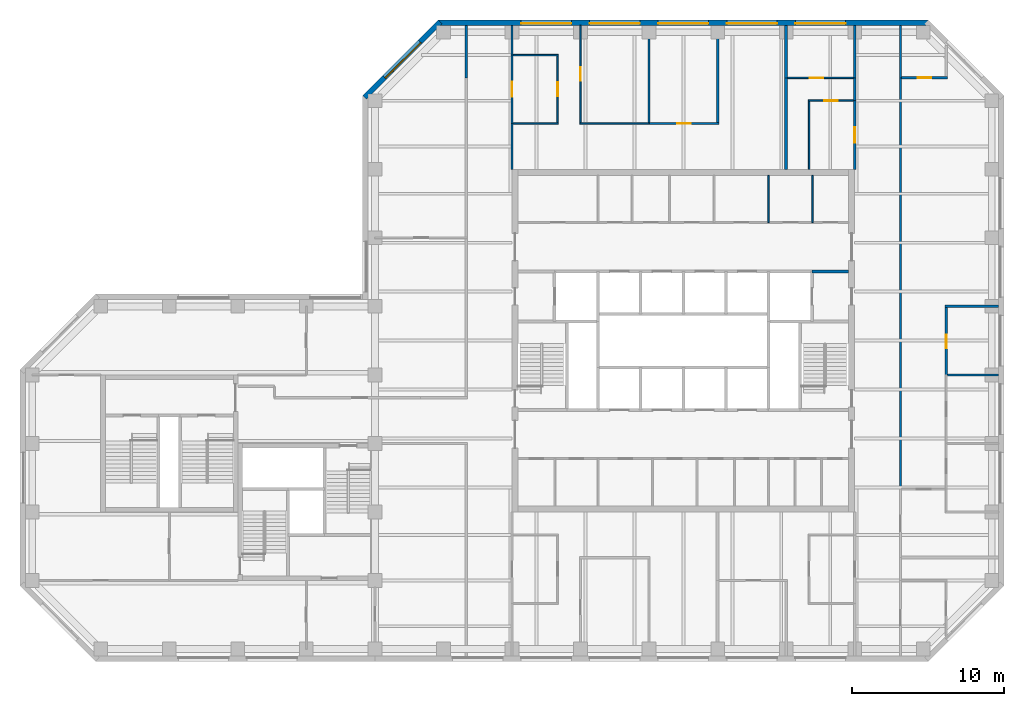
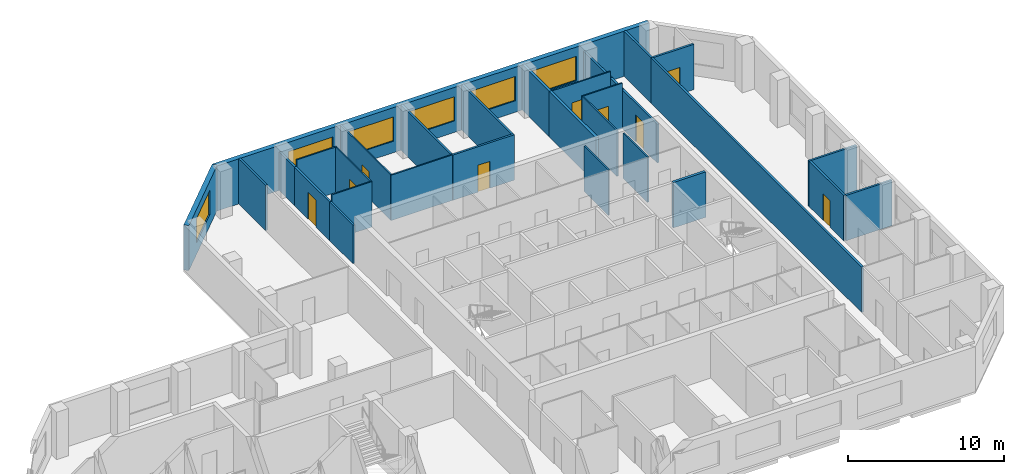
# One storey, part 7 of 9: 31 walls, 9 doors, 6 windows, 15 openings.
"""IFC4 building model written with IfcOpenShell, lengths in metres."""

import ifcopenshell
import ifcopenshell.guid

model = None  # the IFC model being written
_history = None  # IfcOwnerHistory: only IFC2X3 demands one
_inside = {}  # id of a spatial element -> (the spatial element, [elements in it])
_under = {}  # id of a project, library or spatial element -> (it, [spatial elements below it])
_declared = {}  # id of a project -> (the project, [libraries it declares])
_typed = {}  # id of a type object -> (the type object, [elements of that type])
_made_of = {}  # id of a material, layer set ... -> (it, [elements and type objects made of it])


def new_model(schema):
    """Start an empty IFC model of exactly this schema.

    Asked for "IFC4X3", IfcOpenShell would pick the latest addendum, in which some entities
    have other attributes; the version numbers below select the first issue.
    IFC2X3 requires an IfcOwnerHistory on every rooted entity: one is made here for all.
    """
    global model, _history
    if schema == "IFC4X3":
        model = ifcopenshell.file(schema_version=(4, 3, 0, 0))
    else:
        model = ifcopenshell.file(schema=schema)
    _inside.clear()
    _under.clear()
    _declared.clear()
    _typed.clear()
    _made_of.clear()
    _history = None
    if model.schema == "IFC2X3":
        org = make("IfcOrganization", Name="unknown")
        user = make(
            "IfcPersonAndOrganization",
            ThePerson=make("IfcPerson", FamilyName="unknown"),
            TheOrganization=org,
        )
        app = make(
            "IfcApplication",
            ApplicationDeveloper=org,
            Version="unknown",
            ApplicationFullName="unknown",
            ApplicationIdentifier="unknown",
        )
        _history = make(
            "IfcOwnerHistory",
            OwningUser=user,
            OwningApplication=app,
            ChangeAction="ADDED",
            CreationDate=0,
        )
    return model


def make(cls, **values):
    """One entity of the class cls with the attributes given. An attribute that is None is left unset."""
    return model.create_entity(
        cls, **{name: value for name, value in values.items() if value is not None}
    )


def rooted(cls, **values):
    """An entity with a GlobalId (a new one), such as an element, a storey or a relation."""
    return make(cls, GlobalId=ifcopenshell.guid.new(), OwnerHistory=_history, **values)


def si_unit(unit_type, name, prefix=None):
    """IfcSIUnit, for example si_unit("LENGTHUNIT", "METRE", prefix="MILLI")."""
    return make("IfcSIUnit", UnitType=unit_type, Prefix=prefix, Name=name)


def assignment(units):
    """IfcUnitAssignment: the units of a project."""
    return None if units is None else make("IfcUnitAssignment", Units=units)


def point(xyz):
    """IfcCartesianPoint."""
    return None if xyz is None else make("IfcCartesianPoint", Coordinates=xyz)


def direction(xyz):
    """IfcDirection."""
    return None if xyz is None else make("IfcDirection", DirectionRatios=xyz)


def frame(location, z_axis=None, x_axis=None):
    """IfcAxis2Placement3D, a coordinate frame: its origin and axes. An axis left out is left unset."""
    return make(
        "IfcAxis2Placement3D",
        Location=point(location),
        Axis=direction(z_axis),
        RefDirection=direction(x_axis),
    )


def frame_2d(location, x_axis=None):
    """IfcAxis2Placement2D, a coordinate frame in the plane: its origin and x axis."""
    return make(
        "IfcAxis2Placement2D", Location=point(location), RefDirection=direction(x_axis)
    )


def origin():
    """The frame at (0, 0, 0) with its axes left unset."""
    return frame((0.0, 0.0, 0.0))


def place(relative_to, where):
    """IfcLocalPlacement: puts the frame where relative to a parent placement (None: the world)."""
    return make(
        "IfcLocalPlacement", PlacementRelTo=relative_to, RelativePlacement=where
    )


def context(
    kind, dimensions, precision=None, world=None, true_north=None, identifier=None
):
    """IfcGeometricRepresentationContext, for example the 3D "Model" context."""
    return make(
        "IfcGeometricRepresentationContext",
        ContextIdentifier=identifier,
        ContextType=kind,
        CoordinateSpaceDimension=dimensions,
        Precision=precision,
        WorldCoordinateSystem=world,
        TrueNorth=true_north,
    )


def subcontext(parent, identifier, kind, view, scale=None):
    """IfcGeometricRepresentationSubContext, for example "Body" below "Model"."""
    return make(
        "IfcGeometricRepresentationSubContext",
        ContextIdentifier=identifier,
        ContextType=kind,
        ParentContext=parent,
        TargetScale=scale,
        TargetView=view,
    )


def project(units=None, contexts=None):
    """IfcProject with its units and contexts."""
    return rooted(
        "IfcProject",
        Name="project",
        RepresentationContexts=contexts,
        UnitsInContext=assignment(units),
    )


def spatial(cls, under=None, at=None, **own):
    """A site, building, storey or space (cls), placed at a placement, below another one or the project."""
    s = rooted(cls, ObjectPlacement=at, **own)
    if under is not None:
        _under.setdefault(under.id(), (under, []))[1].append(s)
    return s


def profile(cls, at=None, kind="AREA", **sizes):
    """A parametric profile (cls). Its sizes go by their IFC names, for example OverallWidth=200.0."""
    return make(cls, ProfileType=kind, Position=at, **sizes)


def rectangle(**sizes):
    """IfcRectangleProfileDef."""
    return profile("IfcRectangleProfileDef", **sizes)


def extrude(swept, where, along, depth):
    """IfcExtrudedAreaSolid: the profile swept, set in the frame where, extruded along a direction by depth."""
    return make(
        "IfcExtrudedAreaSolid",
        SweptArea=swept,
        Position=where,
        ExtrudedDirection=direction(along),
        Depth=depth,
    )


def shape(context_of_items, identifier, shape_type, items):
    """IfcShapeRepresentation: the items that make up one representation, for example the "Body"."""
    return make(
        "IfcShapeRepresentation",
        ContextOfItems=context_of_items,
        RepresentationIdentifier=identifier,
        RepresentationType=shape_type,
        Items=items,
    )


def material(Name=None, Category=None):
    """IfcMaterial."""
    return make("IfcMaterial", Name=Name, Category=Category)


def layer(
    of_material, thickness, ventilated=None, Name=None, Category=None, Priority=None
):
    """IfcMaterialLayer: one layer of a wall or slab, of a material (None: an air gap)."""
    return make(
        "IfcMaterialLayer",
        Material=of_material,
        LayerThickness=thickness,
        IsVentilated=ventilated,
        Name=Name,
        Category=Category,
        Priority=Priority,
    )


def layer_set(layers, Name=None):
    """IfcMaterialLayerSet."""
    return make("IfcMaterialLayerSet", MaterialLayers=layers, LayerSetName=Name)


def constituent(of_material, Name=None, Category=None, fraction=None):
    """IfcMaterialConstituent: one of the materials an element consists of."""
    return make(
        "IfcMaterialConstituent",
        Name=Name,
        Material=of_material,
        Fraction=fraction,
        Category=Category,
    )


def constituent_set(constituents=None, Name=None):
    """IfcMaterialConstituentSet."""
    return make(
        "IfcMaterialConstituentSet", Name=Name, MaterialConstituents=constituents
    )


def made_of(thing, what):
    """Note that an element or type object is made of a material, layer set ...; save() writes the relation."""
    if what is not None:
        _made_of.setdefault(what.id(), (what, []))[1].append(thing)
    return thing


def type_object(cls, material=None, **own):
    """A type object (cls), such as IfcWallType, which elements share."""
    return made_of(rooted(cls, **own), material)


def element(
    cls,
    number,
    at=None,
    inside=None,
    cuts=None,
    type_object=None,
    material=None,
    context=None,
    identifier="Body",
    shape_type=None,
    held_by="IfcProductDefinitionShape",
    body=None,
    shapes=None,
    **own,
):
    """One element of the class cls, such as IfcWall. Its Tag is "e" and its number.

    at: its placement. inside: the storey or other place that contains it. cuts: it is an
    opening in that element (IfcRelVoidsElement). A single representation is given by context,
    identifier, shape_type and body (its items); several are given by shapes. held_by: the class
    of the entity that holds the representations. save() writes the other relations.
    """
    e = rooted(cls, Tag="e%d" % number, ObjectPlacement=at, **own)
    if body is not None:
        shapes = [shape(context, identifier, shape_type, body)]
    if shapes is not None:
        e.Representation = make(held_by, Representations=shapes)
    if inside is not None:
        _inside.setdefault(inside.id(), (inside, []))[1].append(e)
    if cuts is not None:
        rooted(
            "IfcRelVoidsElement", RelatingBuildingElement=cuts, RelatedOpeningElement=e
        )
    if type_object is not None:
        _typed.setdefault(type_object.id(), (type_object, []))[1].append(e)
    return made_of(e, material)


def fill(opening, filler):
    """IfcRelFillsElement: the door or window that sits in an opening."""
    return rooted(
        "IfcRelFillsElement",
        RelatingOpeningElement=opening,
        RelatedBuildingElement=filler,
    )


def aggregate(whole, parts):
    """IfcRelAggregates: a whole, such as a stair, and the parts it consists of."""
    return rooted("IfcRelAggregates", RelatingObject=whole, RelatedObjects=parts)


def save(model, path):
    """Write the relations noted so far, then the file.

    IfcRelAggregates (storeys below a building ...), IfcRelContainedInSpatialStructure (elements
    in a storey), IfcRelDefinesByType, IfcRelAssociatesMaterial and IfcRelDeclares: one each for
    every whole, place, type object, material and project.
    """
    for whole, parts in _under.values():
        aggregate(whole, parts)
    for where, things in _inside.values():
        rooted(
            "IfcRelContainedInSpatialStructure",
            RelatedElements=things,
            RelatingStructure=where,
        )
    for kind, things in _typed.values():
        rooted("IfcRelDefinesByType", RelatedObjects=things, RelatingType=kind)
    for what, things in _made_of.values():
        rooted("IfcRelAssociatesMaterial", RelatedObjects=things, RelatingMaterial=what)
    for by, libraries in _declared.values():
        rooted("IfcRelDeclares", RelatingContext=by, RelatedDefinitions=libraries)
    model.write(path)


model = new_model("IFC4")

# Units and contexts
model_context = context("Model", 3, precision=1e-05, world=origin(), true_north=direction((0.0, 1.0)))
body_context = subcontext(model_context, "Body", "Model", "MODEL_VIEW")
ifc_project = project(units=[si_unit("LENGTHUNIT", "METRE"), si_unit("AREAUNIT", "SQUARE_METRE"), si_unit("VOLUMEUNIT", "CUBIC_METRE"), si_unit("PLANEANGLEUNIT", "RADIAN"), si_unit("MASSUNIT", "GRAM", prefix="KILO")], contexts=[model_context])

# Site, building, storey
site_placement = place(None, origin())
site = spatial("IfcSite", under=ifc_project, at=site_placement, CompositionType="ELEMENT")
building_placement = place(site_placement, origin())
building = spatial("IfcBuilding", under=site, at=building_placement, Name="Quoin Convention Tower", CompositionType="ELEMENT")
storey_placement = place(building_placement, frame((0.0, 0.0, 162.5)))
storey = spatial("IfcBuildingStorey", under=building, at=storey_placement, Name="L42", CompositionType="ELEMENT", Elevation=162.5)

# Walls
ifc_material_1 = material(Name="Plasterboard")
ifc_layer_1 = layer(ifc_material_1, 0.012451171875, Name="Finish")
ifc_material_2 = material(Name="Steel stud framing", Category="steel")
ifc_layer_2 = layer(ifc_material_2, 0.125, Name="Structure")
ifc_layer_3 = layer(ifc_material_1, 0.012451171875, Name="Finish")
ifc_layer_set_1 = layer_set([ifc_layer_1, ifc_layer_2, ifc_layer_3], Name="Steel stud framing")
wall_type_1 = type_object("IfcWallType", Name="Acoustic partition 150", PredefinedType="PARTITIONING", material=ifc_layer_set_1)
wall_1_placement = place(storey_placement, frame((73.574951171875, 58.5, 0.0), z_axis=(0.0, 0.0, 1.0), x_axis=(1.0, 0.0, 0.0)))
element("IfcWall", 1, at=wall_1_placement, inside=storey, type_object=wall_type_1, Name="pw-L42-022", PredefinedType="PARTITIONING", context=body_context, shape_type="SweptSolid", body=[
    extrude(rectangle(XDim=3.375, YDim=0.14990234375, at=frame_2d((1.6875, 0.0))), origin(), (0.0, 0.0, 1.0), 3.550048828125),
])
wall_2_placement = place(storey_placement, frame((73.425048828125, 63.0, 0.0), z_axis=(0.0, 0.0, 1.0), x_axis=(1.0, 0.0, 0.0)))
element("IfcWall", 2, at=wall_2_placement, inside=storey, type_object=wall_type_1, Name="pw-L42-025", PredefinedType="PARTITIONING", context=body_context, shape_type="SweptSolid", body=[
    extrude(rectangle(XDim=3.52490234375, YDim=0.14990234375, at=frame_2d((1.762451171875, 0.0))), origin(), (0.0, 0.0, 1.0), 3.550048828125),
])

# Wall, opening, door
wall_3_placement = place(storey_placement, frame((54.0, 75.0, 0.0), z_axis=(0.0, 0.0, 1.0), x_axis=(1.0, 0.0, 0.0)))
wall_3 = element("IfcWall", 3, at=wall_3_placement, inside=storey, type_object=wall_type_1, Name="pw-L42-030", PredefinedType="PARTITIONING", context=body_context, shape_type="SweptSolid", body=[
    extrude(rectangle(XDim=4.574951171875, YDim=0.14990234375, at=frame_2d((2.28759765625, 0.0))), origin(), (0.0, 0.0, 1.0), 3.550048828125),
])
opening_1_placement = place(wall_3_placement, frame((1.85009765625, 0.0, 0.0)))
opening_1 = element("IfcOpeningElement", 4, at=opening_1_placement, cuts=wall_3, Name="Opening DOH3-04", PredefinedType="OPENING", context=body_context, shape_type="SweptSolid", body=[
    extrude(rectangle(XDim=0.89990234375, YDim=2.10009765625, at=frame_2d((0.449951171875, 1.050048828125))), frame((0.0, 0.0849609375, 0.0), z_axis=(0.0, -1.0, 0.0), x_axis=(1.0, 0.0, 0.0)), (0.0, 0.0, 1.0), 0.169921875),
])
ifc_material_3 = material(Name="Steel door leaf", Category="steel")
door_type_1 = type_object("IfcDoorType", Name="Office door 900 x 2100", OperationType="SINGLE_SWING_RIGHT", PredefinedType="DOOR", material=ifc_material_3)
door_1_placement = place(opening_1_placement, frame((0.89990234375, 0.0, 0.0), z_axis=(0.0, 0.0, 1.0), x_axis=(-1.0, 0.0, 0.0)))
door_1 = element("IfcDoor", 5, at=door_1_placement, inside=storey, type_object=door_type_1, Name="dr-L42-17", OperationType="SINGLE_SWING_LEFT", OverallHeight=2.10009765625, OverallWidth=0.89990234375, PredefinedType="DOOR", context=body_context, shape_type="SweptSolid", body=[
    extrude(rectangle(XDim=0.89990234375, YDim=2.10009765625, at=frame_2d((0.449951171875, 1.050048828125))), frame((0.0, 0.02490234375, 0.0), z_axis=(0.0, -1.0, 0.0), x_axis=(1.0, 0.0, 0.0)), (0.0, 0.0, 1.0), 0.050048828125),
])
fill(opening_1, door_1)

wall_4_placement = place(storey_placement, frame((73.5, 58.5, 0.0), z_axis=(0.0, 0.0, 1.0), x_axis=(0.0, 1.0, 0.0)))
wall_4 = element("IfcWall", 6, at=wall_4_placement, inside=storey, type_object=wall_type_1, Name="pw-L42-070", PredefinedType="PARTITIONING", context=body_context, shape_type="SweptSolid", body=[
    extrude(rectangle(XDim=4.425048828125, YDim=0.14990234375, at=frame_2d((2.21240234375, 0.0))), origin(), (0.0, 0.0, 1.0), 3.550048828125),
])
opening_2_placement = place(wall_4_placement, frame((1.75, 0.0, 0.0)))
opening_2 = element("IfcOpeningElement", 7, at=opening_2_placement, cuts=wall_4, Name="Opening DOH3-19", PredefinedType="OPENING", context=body_context, shape_type="SweptSolid", body=[
    extrude(rectangle(XDim=0.89990234375, YDim=2.10009765625, at=frame_2d((0.449951171875, 1.050048828125))), frame((0.0, 0.0849609375, 0.0), z_axis=(0.0, -1.0, 0.0), x_axis=(1.0, 0.0, 0.0)), (0.0, 0.0, 1.0), 0.169921875),
])
door_2_placement = place(opening_2_placement, origin())
door_2 = element("IfcDoor", 8, at=door_2_placement, inside=storey, type_object=door_type_1, Name="dr-L42-28", OperationType="SINGLE_SWING_RIGHT", OverallHeight=2.10009765625, OverallWidth=0.89990234375, PredefinedType="DOOR", context=body_context, shape_type="SweptSolid", body=[
    extrude(rectangle(XDim=0.89990234375, YDim=2.10009765625, at=frame_2d((0.449951171875, 1.050048828125))), frame((0.0, 0.02490234375, 0.0), z_axis=(0.0, -1.0, 0.0), x_axis=(1.0, 0.0, 0.0)), (0.0, 0.0, 1.0), 0.050048828125),
])
fill(opening_2, door_2)

# Walls
for number, where, z_axis, x_axis, name in (
    (9, (54.0, 75.074951171875, 0.0), (0.0, 0.0, 1.0), (0.0, 1.0, 0.0), "pw-L42-083"),
    (10, (58.5, 75.074951171875, 0.0), (0.0, 0.0, 1.0), (0.0, 1.0, 0.0), "pw-L42-084"),
):
    element("IfcWall", number, at=place(storey_placement, frame(where, z_axis=z_axis, x_axis=x_axis)), inside=storey, type_object=wall_type_1, Name=name, PredefinedType="PARTITIONING", context=body_context, shape_type="SweptSolid", body=[
        extrude(rectangle(XDim=6.375, YDim=0.14990234375, at=frame_2d((3.1875, 0.0))), origin(), (0.0, 0.0, 1.0), 3.550048828125),
    ])

# Wall, openings, windows
ifc_material_4 = material(Name="Brick masonry", Category="masonry")
ifc_layer_4 = layer(ifc_material_4, 0.35009765625)
ifc_layer_set_2 = layer_set([ifc_layer_4], Name="Brick masonry")
wall_type_2 = type_object("IfcWallType", Name="Brick facade wall", PredefinedType="STANDARD", material=ifc_layer_set_2)
wall_5_placement = place(storey_placement, frame((72.331298828125, 81.625, 0.0), z_axis=(0.0, 0.0, 1.0), x_axis=(-1.0, 0.0, 0.0)))
wall_5 = element("IfcWall", 11, at=wall_5_placement, inside=storey, type_object=wall_type_2, Name="fw-L42-72000_81000", PredefinedType="STANDARD", context=body_context, shape_type="SweptSolid", body=[
    extrude(rectangle(XDim=32.16259765625, YDim=0.35009765625, at=frame_2d((16.081298828125, 0.0))), origin(), (0.0, 0.0, 1.0), 3.52490234375),
])
opening_3_placement = place(wall_5_placement, frame((5.431396484375, 0.0, 0.89990234375)))
opening_3 = element("IfcOpeningElement", 12, at=opening_3_placement, cuts=wall_5, Name="Opening W-02", PredefinedType="OPENING", context=body_context, shape_type="SweptSolid", body=[
    extrude(rectangle(XDim=3.300048828125, YDim=1.89990234375, at=frame_2d((1.64990234375, 0.949951171875))), frame((0.0, 0.18505859375, 0.0), z_axis=(0.0, -1.0, 0.0), x_axis=(1.0, 0.0, 0.0)), (0.0, 0.0, 1.0), 0.3701171875),
])
opening_4_placement = place(wall_5_placement, frame((9.931396484375, 0.0, 0.89990234375)))
opening_4 = element("IfcOpeningElement", 13, at=opening_4_placement, cuts=wall_5, Name="Opening W-02", PredefinedType="OPENING", context=body_context, shape_type="SweptSolid", body=[
    extrude(rectangle(XDim=3.300048828125, YDim=1.89990234375, at=frame_2d((1.64990234375, 0.949951171875))), frame((0.0, 0.18505859375, 0.0), z_axis=(0.0, -1.0, 0.0), x_axis=(1.0, 0.0, 0.0)), (0.0, 0.0, 1.0), 0.3701171875),
])
opening_5_placement = place(wall_5_placement, frame((14.431396484375, 0.0, 0.89990234375)))
opening_5 = element("IfcOpeningElement", 14, at=opening_5_placement, cuts=wall_5, Name="Opening W-02", PredefinedType="OPENING", context=body_context, shape_type="SweptSolid", body=[
    extrude(rectangle(XDim=3.300048828125, YDim=1.89990234375, at=frame_2d((1.64990234375, 0.949951171875))), frame((0.0, 0.18505859375, 0.0), z_axis=(0.0, -1.0, 0.0), x_axis=(1.0, 0.0, 0.0)), (0.0, 0.0, 1.0), 0.3701171875),
])
opening_6_placement = place(wall_5_placement, frame((18.931396484375, 0.0, 0.89990234375)))
opening_6 = element("IfcOpeningElement", 15, at=opening_6_placement, cuts=wall_5, Name="Opening W-02", PredefinedType="OPENING", context=body_context, shape_type="SweptSolid", body=[
    extrude(rectangle(XDim=3.300048828125, YDim=1.89990234375, at=frame_2d((1.64990234375, 0.949951171875))), frame((0.0, 0.18505859375, 0.0), z_axis=(0.0, -1.0, 0.0), x_axis=(1.0, 0.0, 0.0)), (0.0, 0.0, 1.0), 0.3701171875),
])
opening_7_placement = place(wall_5_placement, frame((23.431396484375, 0.0, 0.89990234375)))
opening_7 = element("IfcOpeningElement", 16, at=opening_7_placement, cuts=wall_5, Name="Opening W-02", PredefinedType="OPENING", context=body_context, shape_type="SweptSolid", body=[
    extrude(rectangle(XDim=3.300048828125, YDim=1.89990234375, at=frame_2d((1.64990234375, 0.949951171875))), frame((0.0, 0.18505859375, 0.0), z_axis=(0.0, -1.0, 0.0), x_axis=(1.0, 0.0, 0.0)), (0.0, 0.0, 1.0), 0.3701171875),
])
ifc_material_5 = material(Name="Aluminium", Category="aluminium")
ifc_constituent_1 = constituent(ifc_material_5, Name="Frame")
ifc_material_6 = material(Name="Insulated glass", Category="glass")
ifc_constituent_2 = constituent(ifc_material_6, Name="Glazing")
ifc_constituent_set = constituent_set(constituents=[ifc_constituent_1, ifc_constituent_2], Name="Aluminium")
window_type = type_object("IfcWindowType", Name="Office window", PartitioningType="DOUBLE_PANEL_VERTICAL", PredefinedType="WINDOW", material=ifc_constituent_set)
window_1_placement = place(opening_3_placement, origin())
window_1 = element("IfcWindow", 17, at=window_1_placement, inside=storey, type_object=window_type, Name="win-L42-65250_81625", OverallHeight=1.89990234375, OverallWidth=3.300048828125, PartitioningType="SINGLE_PANEL", PredefinedType="WINDOW", context=body_context, shape_type="SweptSolid", body=[
    extrude(rectangle(XDim=3.300048828125, YDim=1.89990234375, at=frame_2d((1.64990234375, 0.949951171875))), frame((0.0, 0.0849609375, 0.0), z_axis=(0.0, -1.0, 0.0), x_axis=(1.0, 0.0, 0.0)), (0.0, 0.0, 1.0), 0.06005859375),
])
fill(opening_3, window_1)
window_2_placement = place(opening_4_placement, origin())
window_2 = element("IfcWindow", 18, at=window_2_placement, inside=storey, type_object=window_type, Name="win-L42-60750_81625", OverallHeight=1.89990234375, OverallWidth=3.300048828125, PartitioningType="SINGLE_PANEL", PredefinedType="WINDOW", context=body_context, shape_type="SweptSolid", body=[
    extrude(rectangle(XDim=3.300048828125, YDim=1.89990234375, at=frame_2d((1.64990234375, 0.949951171875))), frame((0.0, 0.0849609375, 0.0), z_axis=(0.0, -1.0, 0.0), x_axis=(1.0, 0.0, 0.0)), (0.0, 0.0, 1.0), 0.06005859375),
])
fill(opening_4, window_2)
window_3_placement = place(opening_5_placement, origin())
window_3 = element("IfcWindow", 19, at=window_3_placement, inside=storey, type_object=window_type, Name="win-L42-56250_81625", OverallHeight=1.89990234375, OverallWidth=3.300048828125, PartitioningType="SINGLE_PANEL", PredefinedType="WINDOW", context=body_context, shape_type="SweptSolid", body=[
    extrude(rectangle(XDim=3.300048828125, YDim=1.89990234375, at=frame_2d((1.64990234375, 0.949951171875))), frame((0.0, 0.0849609375, 0.0), z_axis=(0.0, -1.0, 0.0), x_axis=(1.0, 0.0, 0.0)), (0.0, 0.0, 1.0), 0.06005859375),
])
fill(opening_5, window_3)
window_4_placement = place(opening_6_placement, origin())
window_4 = element("IfcWindow", 20, at=window_4_placement, inside=storey, type_object=window_type, Name="win-L42-51750_81625", OverallHeight=1.89990234375, OverallWidth=3.300048828125, PartitioningType="SINGLE_PANEL", PredefinedType="WINDOW", context=body_context, shape_type="SweptSolid", body=[
    extrude(rectangle(XDim=3.300048828125, YDim=1.89990234375, at=frame_2d((1.64990234375, 0.949951171875))), frame((0.0, 0.0849609375, 0.0), z_axis=(0.0, -1.0, 0.0), x_axis=(1.0, 0.0, 0.0)), (0.0, 0.0, 1.0), 0.06005859375),
])
fill(opening_6, window_4)
window_5_placement = place(opening_7_placement, origin())
window_5 = element("IfcWindow", 21, at=window_5_placement, inside=storey, type_object=window_type, Name="win-L42-47250_81625", OverallHeight=1.89990234375, OverallWidth=3.300048828125, PartitioningType="SINGLE_PANEL", PredefinedType="WINDOW", context=body_context, shape_type="SweptSolid", body=[
    extrude(rectangle(XDim=3.300048828125, YDim=1.89990234375, at=frame_2d((1.64990234375, 0.949951171875))), frame((0.0, 0.0849609375, 0.0), z_axis=(0.0, -1.0, 0.0), x_axis=(1.0, 0.0, 0.0)), (0.0, 0.0, 1.0), 0.06005859375),
])
fill(opening_7, window_5)

# Wall, opening, window
wall_6_placement = place(storey_placement, frame((40.29248046875, 81.67626953125, 0.0), z_axis=(0.0, 0.0, 1.0), x_axis=(-0.707106781187, -0.707106781187, 0.0)))
wall_6 = element("IfcWall", 22, at=wall_6_placement, inside=storey, type_object=wall_type_2, Name="fw-L42-40500_81000", PredefinedType="STANDARD", context=body_context, shape_type="SweptSolid", body=[
    extrude(rectangle(XDim=7.02685546875, YDim=0.35009765625, at=frame_2d((3.513427734375, 0.0))), origin(), (0.0, 0.0, 1.0), 3.52490234375),
])
opening_8_placement = place(wall_6_placement, frame((1.86328125, 0.0, 0.89990234375)))
opening_8 = element("IfcOpeningElement", 23, at=opening_8_placement, cuts=wall_6, Name="Opening W-02", PredefinedType="OPENING", context=body_context, shape_type="SweptSolid", body=[
    extrude(rectangle(XDim=3.300048828125, YDim=1.89990234375, at=frame_2d((1.64990234375, 0.949951171875))), frame((0.0, 0.18505859375, 0.0), z_axis=(0.0, -1.0, 0.0), x_axis=(1.0, 0.0, 0.0)), (0.0, 0.0, 1.0), 0.3701171875),
])
window_6_placement = place(opening_8_placement, origin())
window_6 = element("IfcWindow", 24, at=window_6_placement, inside=storey, type_object=window_type, Name="win-L42-37808_79192", OverallHeight=1.89990234375, OverallWidth=3.300048828125, PartitioningType="SINGLE_PANEL", PredefinedType="WINDOW", context=body_context, shape_type="SweptSolid", body=[
    extrude(rectangle(XDim=3.300048828125, YDim=1.89990234375, at=frame_2d((1.64990234375, 0.949951171875))), frame((0.0, 0.0849609375, 0.0), z_axis=(0.0, -1.0, 0.0), x_axis=(1.0, 0.0, 0.0)), (0.0, 0.0, 1.0), 0.06005859375),
])
fill(opening_8, window_6)

# Walls
ifc_layer_5 = layer(ifc_material_1, 0.012451171875, Name="Finish")
ifc_layer_6 = layer(ifc_material_2, 0.074951171875, Name="Structure")
ifc_layer_7 = layer(ifc_material_1, 0.012451171875, Name="Finish")
ifc_layer_set_3 = layer_set([ifc_layer_5, ifc_layer_6, ifc_layer_7], Name="Steel stud framing")
wall_type_3 = type_object("IfcWallType", Name="Core partition wall", PredefinedType="PARTITIONING", material=ifc_layer_set_3)
for number, where, z_axis, x_axis, name in (
    (25, (61.85009765625, 68.5, 0.0), (0.0, 0.0, 1.0), (0.0, 1.0, 0.0), "cr-C1-L42-v16850_19000"),
    (26, (64.737548828125, 68.5, 0.0), (0.0, 0.0, 1.0), (0.0, 1.0, 0.0), "cr-C1-L42-v19738_19000"),
):
    element("IfcWall", number, at=place(storey_placement, frame(where, z_axis=z_axis, x_axis=x_axis)), inside=storey, type_object=wall_type_3, Name=name, PredefinedType="PARTITIONING", context=body_context, shape_type="SweptSolid", body=[
        extrude(rectangle(XDim=3.10009765625, YDim=0.10009765625, at=frame_2d((1.550048828125, 0.0))), origin(), (0.0, 0.0, 1.0), 3.550048828125),
    ])
ifc_material_7 = material(Name="Concrete C50", Category="concrete")
ifc_layer_8 = layer(ifc_material_7, 0.199951171875)
ifc_layer_set_4 = layer_set([ifc_layer_8], Name="Concrete C50")
wall_type_4 = type_object("IfcWallType", Name="Core shaft wall", PredefinedType="SOLIDWALL", material=ifc_layer_set_4)
wall_7_placement = place(storey_placement, frame((64.699951171875, 65.300048828125, 0.0), z_axis=(0.0, 0.0, 1.0), x_axis=(1.0, 0.0, 0.0)))
element("IfcWall", 27, at=wall_7_placement, inside=storey, type_object=wall_type_4, Name="cr-C1-L42-h15800_19700", PredefinedType="SOLIDWALL", context=body_context, shape_type="SweptSolid", body=[
    extrude(rectangle(XDim=2.400146484375, YDim=0.199951171875, at=frame_2d((1.2001953125, 0.0))), origin(), (0.0, 0.0, 1.0), 3.550048828125),
])
ifc_layer_9 = layer(ifc_material_1, 0.012451171875, Name="Finish")
ifc_layer_10 = layer(ifc_material_2, 0.125, Name="Structure")
ifc_layer_11 = layer(ifc_material_1, 0.012451171875, Name="Finish")
ifc_layer_set_5 = layer_set([ifc_layer_9, ifc_layer_10, ifc_layer_11], Name="Steel stud framing")
wall_type_5 = type_object("IfcWallType", Name="Corridor wall 150", PredefinedType="PARTITIONING", material=ifc_layer_set_5)
wall_8_placement = place(storey_placement, frame((70.5, 51.0, 0.0), z_axis=(0.0, 0.0, 1.0), x_axis=(0.0, 1.0, 0.0)))
element("IfcWall", 28, at=wall_8_placement, inside=storey, type_object=wall_type_5, Name="pw-L42-063", PredefinedType="PARTITIONING", context=body_context, shape_type="SweptSolid", body=[
    extrude(rectangle(XDim=27.0, YDim=0.14990234375, at=frame_2d((13.5, 0.0))), origin(), (0.0, 0.0, 1.0), 3.550048828125),
])
for number, where, z_axis, x_axis, name in (
    (29, (42.0, 78.0, 0.0), (0.0, 0.0, 1.0), (0.0, 1.0, 0.0), "pw-L42-086"),
    (30, (70.5, 78.0, 0.0), (0.0, 0.0, 1.0), (0.0, 1.0, 0.0), "pw-L42-089"),
):
    element("IfcWall", number, at=place(storey_placement, frame(where, z_axis=z_axis, x_axis=x_axis)), inside=storey, type_object=wall_type_5, Name=name, PredefinedType="PARTITIONING", context=body_context, shape_type="SweptSolid", body=[
        extrude(rectangle(XDim=3.449951171875, YDim=0.14990234375, at=frame_2d((1.72509765625, 0.0))), origin(), (0.0, 0.0, 1.0), 3.550048828125),
    ])
ifc_layer_12 = layer(ifc_material_1, 0.012451171875, Name="Finish")
ifc_layer_13 = layer(ifc_material_2, 0.125, Name="Structure")
ifc_layer_14 = layer(ifc_material_1, 0.012451171875, Name="Finish")
ifc_layer_set_6 = layer_set([ifc_layer_12, ifc_layer_13, ifc_layer_14], Name="Steel stud framing")
wall_type_6 = type_object("IfcWallType", Name="Corridor wall 150 under beam 528", PredefinedType="PARTITIONING", material=ifc_layer_set_6)
wall_9_placement = place(storey_placement, frame((45.0, 72.0, 0.0), z_axis=(0.0, 0.0, 1.0), x_axis=(0.0, 1.0, 0.0)))
element("IfcWall", 31, at=wall_9_placement, inside=storey, type_object=wall_type_6, Name="pw-L42-076", PredefinedType="PARTITIONING", context=body_context, shape_type="SweptSolid", body=[
    extrude(rectangle(XDim=3.0, YDim=0.14990234375, at=frame_2d((1.5, 0.0))), origin(), (0.0, 0.0, 1.0), 3.02197265625),
])

# Wall, opening, door
wall_10_placement = place(storey_placement, frame((67.5, 72.0, 0.0), z_axis=(0.0, 0.0, 1.0), x_axis=(0.0, 1.0, 0.0)))
wall_10 = element("IfcWall", 32, at=wall_10_placement, inside=storey, type_object=wall_type_6, Name="pw-L42-079", PredefinedType="PARTITIONING", context=body_context, shape_type="SweptSolid", body=[
    extrude(rectangle(XDim=4.5, YDim=0.14990234375, at=frame_2d((2.25, 0.0))), origin(), (0.0, 0.0, 1.0), 3.02197265625),
])
opening_9_placement = place(wall_10_placement, frame((1.75, 0.0, 0.0)))
opening_9 = element("IfcOpeningElement", 33, at=opening_9_placement, cuts=wall_10, Name="Opening DOH3-20", PredefinedType="OPENING", context=body_context, shape_type="SweptSolid", body=[
    extrude(rectangle(XDim=1.0, YDim=2.10009765625, at=frame_2d((0.5, 1.050048828125))), frame((0.0, 0.0849609375, 0.0), z_axis=(0.0, -1.0, 0.0), x_axis=(1.0, 0.0, 0.0)), (0.0, 0.0, 1.0), 0.169921875),
])
door_type_2 = type_object("IfcDoorType", Name="Tenancy entrance door 1000 x 2100", OperationType="DOUBLE_DOOR_SINGLE_SWING", PredefinedType="DOOR", material=ifc_material_3)
door_3_placement = place(opening_9_placement, origin())
door_3 = element("IfcDoor", 34, at=door_3_placement, inside=storey, type_object=door_type_2, Name="dr-L42-18", OperationType="DOUBLE_DOOR_SINGLE_SWING", OverallHeight=2.10009765625, OverallWidth=1.0, PredefinedType="DOOR", context=body_context, shape_type="SweptSolid", body=[
    extrude(rectangle(XDim=1.0, YDim=2.10009765625, at=frame_2d((0.5, 1.050048828125))), frame((0.0, 0.02490234375, 0.0), z_axis=(0.0, -1.0, 0.0), x_axis=(1.0, 0.0, 0.0)), (0.0, 0.0, 1.0), 0.050048828125),
])
fill(opening_9, door_3)

wall_11_placement = place(storey_placement, frame((45.0, 75.0, 0.0), z_axis=(0.0, 0.0, 1.0), x_axis=(0.0, 1.0, 0.0)))
wall_11 = element("IfcWall", 35, at=wall_11_placement, inside=storey, type_object=wall_type_6, Name="pw-L42-080", PredefinedType="PARTITIONING", context=body_context, shape_type="SweptSolid", body=[
    extrude(rectangle(XDim=4.5, YDim=0.14990234375, at=frame_2d((2.25, 0.0))), origin(), (0.0, 0.0, 1.0), 3.02197265625),
])
opening_10_placement = place(wall_11_placement, frame((1.75, 0.0, 0.0)))
opening_10 = element("IfcOpeningElement", 36, at=opening_10_placement, cuts=wall_11, Name="Opening DOH3-21", PredefinedType="OPENING", context=body_context, shape_type="SweptSolid", body=[
    extrude(rectangle(XDim=1.0, YDim=2.10009765625, at=frame_2d((0.5, 1.050048828125))), frame((0.0, 0.0849609375, 0.0), z_axis=(0.0, -1.0, 0.0), x_axis=(1.0, 0.0, 0.0)), (0.0, 0.0, 1.0), 0.169921875),
])
door_4_placement = place(opening_10_placement, frame((1.0, 0.0, 0.0), z_axis=(0.0, 0.0, 1.0), x_axis=(-1.0, 0.0, 0.0)))
door_4 = element("IfcDoor", 37, at=door_4_placement, inside=storey, type_object=door_type_2, Name="dr-L42-14", OperationType="DOUBLE_DOOR_SINGLE_SWING", OverallHeight=2.10009765625, OverallWidth=1.0, PredefinedType="DOOR", context=body_context, shape_type="SweptSolid", body=[
    extrude(rectangle(XDim=1.0, YDim=2.10009765625, at=frame_2d((0.5, 1.050048828125))), frame((0.0, 0.02490234375, 0.0), z_axis=(0.0, -1.0, 0.0), x_axis=(1.0, 0.0, 0.0)), (0.0, 0.0, 1.0), 0.050048828125),
])
fill(opening_10, door_4)

# Walls
wall_12_placement = place(storey_placement, frame((67.5, 76.5, 0.0), z_axis=(0.0, 0.0, 1.0), x_axis=(0.0, 1.0, 0.0)))
element("IfcWall", 38, at=wall_12_placement, inside=storey, type_object=wall_type_6, Name="pw-L42-085", PredefinedType="PARTITIONING", context=body_context, shape_type="SweptSolid", body=[
    extrude(rectangle(XDim=1.5, YDim=0.14990234375, at=frame_2d((0.75, 0.0))), origin(), (0.0, 0.0, 1.0), 3.02197265625),
])
wall_13_placement = place(storey_placement, frame((67.5, 78.0, 0.0), z_axis=(0.0, 0.0, 1.0), x_axis=(0.0, 1.0, 0.0)))
element("IfcWall", 39, at=wall_13_placement, inside=storey, type_object=wall_type_6, Name="pw-L42-088", PredefinedType="PARTITIONING", context=body_context, shape_type="SweptSolid", body=[
    extrude(rectangle(XDim=3.449951171875, YDim=0.14990234375, at=frame_2d((1.72509765625, 0.0))), origin(), (0.0, 0.0, 1.0), 3.02197265625),
])
wall_14_placement = place(storey_placement, frame((45.0, 79.5, 0.0), z_axis=(0.0, 0.0, 1.0), x_axis=(0.0, 1.0, 0.0)))
element("IfcWall", 40, at=wall_14_placement, inside=storey, type_object=wall_type_6, Name="pw-L42-092", PredefinedType="PARTITIONING", context=body_context, shape_type="SweptSolid", body=[
    extrude(rectangle(XDim=1.949951171875, YDim=0.14990234375, at=frame_2d((0.97509765625, 0.0))), origin(), (0.0, 0.0, 1.0), 3.02197265625),
])
ifc_layer_15 = layer(ifc_material_1, 0.012451171875, Name="Finish")
ifc_layer_16 = layer(ifc_material_2, 0.074951171875, Name="Structure")
ifc_layer_17 = layer(ifc_material_1, 0.012451171875, Name="Finish")
ifc_layer_set_7 = layer_set([ifc_layer_15, ifc_layer_16, ifc_layer_17], Name="Steel stud framing")
wall_type_7 = type_object("IfcWallType", Name="Stud partition 100", PredefinedType="PARTITIONING", material=ifc_layer_set_7)
wall_15_placement = place(storey_placement, frame((45.074951171875, 75.0, 0.0), z_axis=(0.0, 0.0, 1.0), x_axis=(1.0, 0.0, 0.0)))
element("IfcWall", 41, at=wall_15_placement, inside=storey, type_object=wall_type_7, Name="pw-L42-028", PredefinedType="PARTITIONING", context=body_context, shape_type="SweptSolid", body=[
    extrude(rectangle(XDim=2.97509765625, YDim=0.10009765625, at=frame_2d((1.487548828125, 0.0))), origin(), (0.0, 0.0, 1.0), 3.550048828125),
])
wall_16_placement = place(storey_placement, frame((49.449951171875, 75.0, 0.0), z_axis=(0.0, 0.0, 1.0), x_axis=(1.0, 0.0, 0.0)))
element("IfcWall", 42, at=wall_16_placement, inside=storey, type_object=wall_type_7, Name="pw-L42-029", PredefinedType="PARTITIONING", context=body_context, shape_type="SweptSolid", body=[
    extrude(rectangle(XDim=4.550048828125, YDim=0.10009765625, at=frame_2d((2.27490234375, 0.0))), origin(), (0.0, 0.0, 1.0), 3.550048828125),
])

# Wall, opening, door
wall_17_placement = place(storey_placement, frame((64.449951171875, 76.5, 0.0), z_axis=(0.0, 0.0, 1.0), x_axis=(1.0, 0.0, 0.0)))
wall_17 = element("IfcWall", 43, at=wall_17_placement, inside=storey, type_object=wall_type_7, Name="pw-L42-031", PredefinedType="PARTITIONING", context=body_context, shape_type="SweptSolid", body=[
    extrude(rectangle(XDim=2.97509765625, YDim=0.10009765625, at=frame_2d((1.487548828125, 0.0))), origin(), (0.0, 0.0, 1.0), 3.550048828125),
])
opening_11_placement = place(wall_17_placement, frame((1.050048828125, 0.0, 0.0)))
opening_11 = element("IfcOpeningElement", 44, at=opening_11_placement, cuts=wall_17, Name="Opening DOH3-05", PredefinedType="OPENING", context=body_context, shape_type="SweptSolid", body=[
    extrude(rectangle(XDim=0.89990234375, YDim=2.10009765625, at=frame_2d((0.449951171875, 1.050048828125))), frame((0.0, 0.06005859375, 0.0), z_axis=(0.0, -1.0, 0.0), x_axis=(1.0, 0.0, 0.0)), (0.0, 0.0, 1.0), 0.1201171875),
])
door_5_placement = place(opening_11_placement, frame((0.89990234375, 0.0, 0.0), z_axis=(0.0, 0.0, 1.0), x_axis=(-1.0, 0.0, 0.0)))
door_5 = element("IfcDoor", 45, at=door_5_placement, inside=storey, type_object=door_type_1, Name="dr-L42-19", OperationType="SINGLE_SWING_RIGHT", OverallHeight=2.10009765625, OverallWidth=0.89990234375, PredefinedType="DOOR", context=body_context, shape_type="SweptSolid", body=[
    extrude(rectangle(XDim=0.89990234375, YDim=2.10009765625, at=frame_2d((0.449951171875, 1.050048828125))), frame((0.0, 0.02490234375, 0.0), z_axis=(0.0, -1.0, 0.0), x_axis=(1.0, 0.0, 0.0)), (0.0, 0.0, 1.0), 0.050048828125),
])
fill(opening_11, door_5)

wall_18_placement = place(storey_placement, frame((63.10009765625, 78.0, 0.0), z_axis=(0.0, 0.0, 1.0), x_axis=(1.0, 0.0, 0.0)))
wall_18 = element("IfcWall", 46, at=wall_18_placement, inside=storey, type_object=wall_type_7, Name="pw-L42-033", PredefinedType="PARTITIONING", context=body_context, shape_type="SweptSolid", body=[
    extrude(rectangle(XDim=4.324951171875, YDim=0.10009765625, at=frame_2d((2.16259765625, 0.0))), origin(), (0.0, 0.0, 1.0), 3.550048828125),
])
opening_12_placement = place(wall_18_placement, frame((1.449951171875, 0.0, 0.0)))
opening_12 = element("IfcOpeningElement", 47, at=opening_12_placement, cuts=wall_18, Name="Opening DOH3-06", PredefinedType="OPENING", context=body_context, shape_type="SweptSolid", body=[
    extrude(rectangle(XDim=0.89990234375, YDim=2.10009765625, at=frame_2d((0.449951171875, 1.050048828125))), frame((0.0, 0.06005859375, 0.0), z_axis=(0.0, -1.0, 0.0), x_axis=(1.0, 0.0, 0.0)), (0.0, 0.0, 1.0), 0.1201171875),
])
door_6_placement = place(opening_12_placement, origin())
door_6 = element("IfcDoor", 48, at=door_6_placement, inside=storey, type_object=door_type_1, Name="dr-L42-20", OperationType="SINGLE_SWING_LEFT", OverallHeight=2.10009765625, OverallWidth=0.89990234375, PredefinedType="DOOR", context=body_context, shape_type="SweptSolid", body=[
    extrude(rectangle(XDim=0.89990234375, YDim=2.10009765625, at=frame_2d((0.449951171875, 1.050048828125))), frame((0.0, 0.02490234375, 0.0), z_axis=(0.0, -1.0, 0.0), x_axis=(1.0, 0.0, 0.0)), (0.0, 0.0, 1.0), 0.050048828125),
])
fill(opening_12, door_6)

# Walls
wall_19_placement = place(storey_placement, frame((45.074951171875, 79.5, 0.0), z_axis=(0.0, 0.0, 1.0), x_axis=(1.0, 0.0, 0.0)))
element("IfcWall", 49, at=wall_19_placement, inside=storey, type_object=wall_type_7, Name="pw-L42-035", PredefinedType="PARTITIONING", context=body_context, shape_type="SweptSolid", body=[
    extrude(rectangle(XDim=2.97509765625, YDim=0.10009765625, at=frame_2d((1.487548828125, 0.0))), origin(), (0.0, 0.0, 1.0), 3.550048828125),
])
wall_20_placement = place(storey_placement, frame((64.5, 72.0, 0.0), z_axis=(0.0, 0.0, 1.0), x_axis=(0.0, 1.0, 0.0)))
element("IfcWall", 50, at=wall_20_placement, inside=storey, type_object=wall_type_7, Name="pw-L42-078", PredefinedType="PARTITIONING", context=body_context, shape_type="SweptSolid", body=[
    extrude(rectangle(XDim=4.449951171875, YDim=0.10009765625, at=frame_2d((2.22509765625, 0.0))), origin(), (0.0, 0.0, 1.0), 3.550048828125),
])

# Wall, opening, door
wall_21_placement = place(storey_placement, frame((48.0, 75.050048828125, 0.0), z_axis=(0.0, 0.0, 1.0), x_axis=(0.0, 1.0, 0.0)))
wall_21 = element("IfcWall", 51, at=wall_21_placement, inside=storey, type_object=wall_type_7, Name="pw-L42-081", PredefinedType="PARTITIONING", context=body_context, shape_type="SweptSolid", body=[
    extrude(rectangle(XDim=4.39990234375, YDim=0.10009765625, at=frame_2d((2.199951171875, 0.0))), origin(), (0.0, 0.0, 1.0), 3.550048828125),
])
opening_13_placement = place(wall_21_placement, frame((1.75, 0.0, 0.0)))
opening_13 = element("IfcOpeningElement", 52, at=opening_13_placement, cuts=wall_21, Name="Opening DOH3-22", PredefinedType="OPENING", context=body_context, shape_type="SweptSolid", body=[
    extrude(rectangle(XDim=0.89990234375, YDim=2.10009765625, at=frame_2d((0.449951171875, 1.050048828125))), frame((0.0, 0.06005859375, 0.0), z_axis=(0.0, -1.0, 0.0), x_axis=(1.0, 0.0, 0.0)), (0.0, 0.0, 1.0), 0.1201171875),
])
door_7_placement = place(opening_13_placement, frame((0.89990234375, 0.0, 0.0), z_axis=(0.0, 0.0, 1.0), x_axis=(-1.0, 0.0, 0.0)))
door_7 = element("IfcDoor", 53, at=door_7_placement, inside=storey, type_object=door_type_1, Name="dr-L42-15", OperationType="SINGLE_SWING_LEFT", OverallHeight=2.10009765625, OverallWidth=0.89990234375, PredefinedType="DOOR", context=body_context, shape_type="SweptSolid", body=[
    extrude(rectangle(XDim=0.89990234375, YDim=2.10009765625, at=frame_2d((0.449951171875, 1.050048828125))), frame((0.0, 0.02490234375, 0.0), z_axis=(0.0, -1.0, 0.0), x_axis=(1.0, 0.0, 0.0)), (0.0, 0.0, 1.0), 0.050048828125),
])
fill(opening_13, door_7)

wall_22_placement = place(storey_placement, frame((49.5, 75.050048828125, 0.0), z_axis=(0.0, 0.0, 1.0), x_axis=(0.0, 1.0, 0.0)))
wall_22 = element("IfcWall", 54, at=wall_22_placement, inside=storey, type_object=wall_type_7, Name="pw-L42-082", PredefinedType="PARTITIONING", context=body_context, shape_type="SweptSolid", body=[
    extrude(rectangle(XDim=6.39990234375, YDim=0.10009765625, at=frame_2d((3.199951171875, 0.0))), origin(), (0.0, 0.0, 1.0), 3.550048828125),
])
opening_14_placement = place(wall_22_placement, frame((2.75, 0.0, 0.0)))
opening_14 = element("IfcOpeningElement", 55, at=opening_14_placement, cuts=wall_22, Name="Opening DOH3-23", PredefinedType="OPENING", context=body_context, shape_type="SweptSolid", body=[
    extrude(rectangle(XDim=0.89990234375, YDim=2.10009765625, at=frame_2d((0.449951171875, 1.050048828125))), frame((0.0, 0.06005859375, 0.0), z_axis=(0.0, -1.0, 0.0), x_axis=(1.0, 0.0, 0.0)), (0.0, 0.0, 1.0), 0.1201171875),
])
door_8_placement = place(opening_14_placement, origin())
door_8 = element("IfcDoor", 56, at=door_8_placement, inside=storey, type_object=door_type_1, Name="dr-L42-16", OperationType="SINGLE_SWING_RIGHT", OverallHeight=2.10009765625, OverallWidth=0.89990234375, PredefinedType="DOOR", context=body_context, shape_type="SweptSolid", body=[
    extrude(rectangle(XDim=0.89990234375, YDim=2.10009765625, at=frame_2d((0.449951171875, 1.050048828125))), frame((0.0, 0.02490234375, 0.0), z_axis=(0.0, -1.0, 0.0), x_axis=(1.0, 0.0, 0.0)), (0.0, 0.0, 1.0), 0.050048828125),
])
fill(opening_14, door_8)

# Walls
ifc_layer_18 = layer(ifc_material_1, 0.012451171875, Name="Finish")
ifc_layer_19 = layer(ifc_material_2, 0.175048828125, Name="Structure")
ifc_layer_20 = layer(ifc_material_1, 0.012451171875, Name="Finish")
ifc_layer_set_8 = layer_set([ifc_layer_18, ifc_layer_19, ifc_layer_20], Name="Steel stud framing")
wall_type_8 = type_object("IfcWallType", Name="Tenancy demising wall 200", PredefinedType="PARTITIONING", material=ifc_layer_set_8)
wall_23_placement = place(storey_placement, frame((63.0, 72.0, 0.0), z_axis=(0.0, 0.0, 1.0), x_axis=(0.0, 1.0, 0.0)))
element("IfcWall", 57, at=wall_23_placement, inside=storey, type_object=wall_type_8, Name="pw-L42-077", PredefinedType="PARTITIONING", context=body_context, shape_type="SweptSolid", body=[
    extrude(rectangle(XDim=6.0, YDim=0.199951171875, at=frame_2d((3.0, 0.0))), origin(), (0.0, 0.0, 1.0), 3.550048828125),
])
wall_24_placement = place(storey_placement, frame((63.0, 78.0, 0.0), z_axis=(0.0, 0.0, 1.0), x_axis=(0.0, 1.0, 0.0)))
element("IfcWall", 58, at=wall_24_placement, inside=storey, type_object=wall_type_8, Name="pw-L42-087", PredefinedType="PARTITIONING", context=body_context, shape_type="SweptSolid", body=[
    extrude(rectangle(XDim=3.449951171875, YDim=0.199951171875, at=frame_2d((1.72509765625, 0.0))), origin(), (0.0, 0.0, 1.0), 3.550048828125),
])

# Wall, opening, door
ifc_layer_21 = layer(ifc_material_1, 0.012451171875, Name="Finish")
ifc_layer_22 = layer(ifc_material_2, 0.125, Name="Structure")
ifc_layer_23 = layer(ifc_material_1, 0.012451171875, Name="Finish")
ifc_layer_set_9 = layer_set([ifc_layer_21, ifc_layer_22, ifc_layer_23], Name="Steel stud framing")
wall_type_9 = type_object("IfcWallType", Name="Wet area partition 150", PredefinedType="PARTITIONING", material=ifc_layer_set_9)
wall_25_placement = place(storey_placement, frame((70.574951171875, 78.0, 0.0), z_axis=(0.0, 0.0, 1.0), x_axis=(1.0, 0.0, 0.0)))
wall_25 = element("IfcWall", 59, at=wall_25_placement, inside=storey, type_object=wall_type_9, Name="pw-L42-034", PredefinedType="PARTITIONING", context=body_context, shape_type="SweptSolid", body=[
    extrude(rectangle(XDim=3.0, YDim=0.14990234375, at=frame_2d((1.5, 0.0))), origin(), (0.0, 0.0, 1.0), 3.550048828125),
])
opening_15_placement = place(wall_25_placement, frame((1.050048828125, 0.0, 0.0)))
opening_15 = element("IfcOpeningElement", 60, at=opening_15_placement, cuts=wall_25, Name="Opening DOH3-07", PredefinedType="OPENING", context=body_context, shape_type="SweptSolid", body=[
    extrude(rectangle(XDim=0.89990234375, YDim=2.10009765625, at=frame_2d((0.449951171875, 1.050048828125))), frame((0.0, 0.0849609375, 0.0), z_axis=(0.0, -1.0, 0.0), x_axis=(1.0, 0.0, 0.0)), (0.0, 0.0, 1.0), 0.169921875),
])
door_9_placement = place(opening_15_placement, frame((0.89990234375, 0.0, 0.0), z_axis=(0.0, 0.0, 1.0), x_axis=(-1.0, 0.0, 0.0)))
door_9 = element("IfcDoor", 61, at=door_9_placement, inside=storey, type_object=door_type_1, Name="dr-L42-27", OperationType="SINGLE_SWING_LEFT", OverallHeight=2.10009765625, OverallWidth=0.89990234375, PredefinedType="DOOR", context=body_context, shape_type="SweptSolid", body=[
    extrude(rectangle(XDim=0.89990234375, YDim=2.10009765625, at=frame_2d((0.449951171875, 1.050048828125))), frame((0.0, 0.02490234375, 0.0), z_axis=(0.0, -1.0, 0.0), x_axis=(1.0, 0.0, 0.0)), (0.0, 0.0, 1.0), 0.050048828125),
])
fill(opening_15, door_9)

save(model, "model.ifc")
